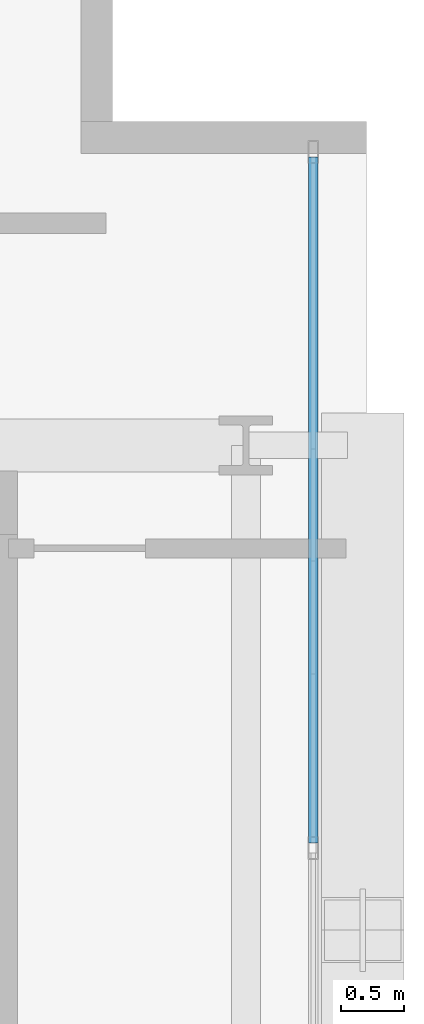
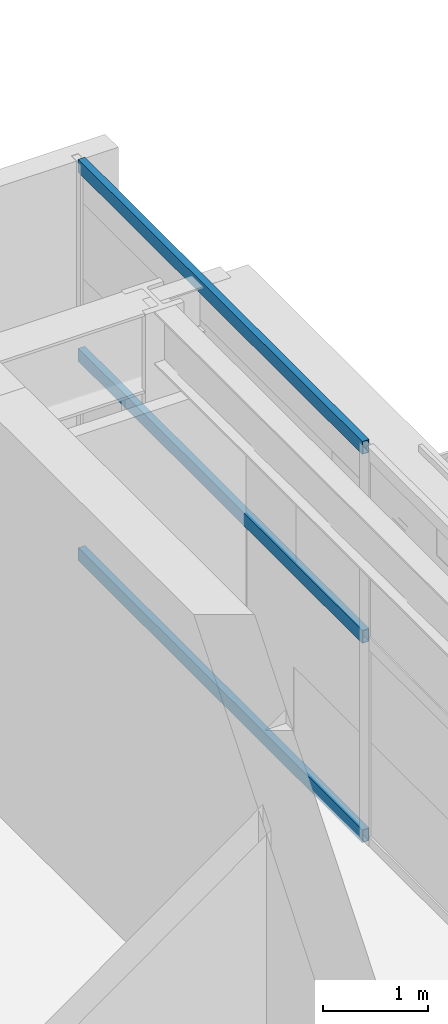
# One storey, part 14 of 31: 3 members, 1 element without a shape of its own.
"""IFC4 building model written with IfcOpenShell, lengths in metres."""

from ifc_helpers import new_model, si_unit, direction, frame, origin, origin_2d, place, context, subcontext, project, spatial, hollow_rectangle, extrude, source, transform, mapped, material, layer, layer_set, material_profile, profile_set, type_object, element, aggregate, save


model = new_model("IFC4")

# Units and contexts
model_context = context("Model", 3, precision=1e-05, world=origin(), true_north=direction((0.0, 1.0)))
body_context = subcontext(model_context, "Body", "Model", "MODEL_VIEW")
ifc_project = project(units=[si_unit("LENGTHUNIT", "METRE"), si_unit("AREAUNIT", "SQUARE_METRE"), si_unit("VOLUMEUNIT", "CUBIC_METRE"), si_unit("PLANEANGLEUNIT", "RADIAN"), si_unit("MASSUNIT", "GRAM", prefix="KILO")], contexts=[model_context])

# Site, building, storey
site_placement = place(None, origin())
site = spatial("IfcSite", under=ifc_project, at=site_placement, CompositionType="ELEMENT")
building_placement = place(site_placement, origin())
building = spatial("IfcBuilding", under=site, at=building_placement, Name="Ocotamira Hotel", CompositionType="ELEMENT")
storey_placement = place(building_placement, frame((0.0, 0.0, 228.0)))
storey = spatial("IfcBuildingStorey", under=building, at=storey_placement, Name="L57", CompositionType="ELEMENT", Elevation=228.0)

# Curtain wall, members
ifc_material_1 = material(Name="Anodised pale-metal aluminium and solar glass", Category="aluminium")
ifc_layer = layer(ifc_material_1, 0.239990234375)
ifc_layer_set = layer_set([ifc_layer], Name="Anodised pale-metal aluminium and solar glass")
curtain_wall_type = type_object("IfcCurtainWallType", Name="CW-SYS5-SKY", PredefinedType="NOTDEFINED", material=ifc_layer_set)
curtain_wall_placement = place(storey_placement, origin())
curtain_wall = element("IfcCurtainWall", 1, at=curtain_wall_placement, inside=storey, type_object=curtain_wall_type, Name="L57 Curtain Wall CW-5 CW-L57-E", PredefinedType="NOTDEFINED")
ifc_material_2 = material(Name="Anodised pale-metal aluminium 6063-T6", Category="aluminium")
ifc_material_profile = material_profile(ifc_material_2, hollow_rectangle(XDim=0.074951171875, YDim=0.14990234375, WallThickness=0.006103515625, at=origin_2d()), Name="HSS150X75X6")
ifc_profile_set = profile_set([ifc_material_profile], Name="Anodised pale-metal aluminium 6063-T6")
member_type = type_object("IfcMemberType", Name="CWT-150X75", PredefinedType="USERDEFINED", material=ifc_profile_set)
shared_shape = source(origin(), body_context, "Body", "SweptSolid", [
    extrude(hollow_rectangle(XDim=0.074951171875, YDim=0.14990234375, WallThickness=0.006103515625, at=origin_2d()), origin(), (0.0, 0.0, 1.0), 5.39990234375),
])
member_1_placement = place(storey_placement, frame((55.580078125, 34.320068359375, 0.03759765625), z_axis=(0.0, 1.0, 0.0), x_axis=(-1.0, 0.0, 0.0)))
member_1 = element("IfcMember", 2, at=member_1_placement, type_object=member_type, Name="CW-5 transom 5.1", ObjectType="TRANSOM", PredefinedType="USERDEFINED", context=body_context, shape_type="MappedRepresentation", body=[
    mapped(shared_shape, transform((0.0, 0.0, 0.0), scale=1.0)),
])
member_2_placement = place(storey_placement, frame((55.580078125, 34.320068359375, 2.35009765625), z_axis=(0.0, 1.0, 0.0), x_axis=(-1.0, 0.0, 0.0)))
member_2 = element("IfcMember", 3, at=member_2_placement, type_object=member_type, Name="CW-5 transom 5.2", ObjectType="TRANSOM", PredefinedType="USERDEFINED", context=body_context, shape_type="MappedRepresentation", body=[
    mapped(shared_shape, transform((0.0, 0.0, 0.0), scale=1.0)),
])
member_3_placement = place(storey_placement, frame((55.580078125, 34.320068359375, 4.54248046875), z_axis=(0.0, 1.0, 0.0), x_axis=(-1.0, 0.0, 0.0)))
member_3 = element("IfcMember", 4, at=member_3_placement, type_object=member_type, Name="CW-5 transom 5.3", ObjectType="TRANSOM", PredefinedType="USERDEFINED", context=body_context, shape_type="MappedRepresentation", body=[
    mapped(shared_shape, transform((0.0, 0.0, 0.0), scale=1.0)),
])
aggregate(curtain_wall, [member_1, member_2, member_3])

save(model, "model.ifc")
